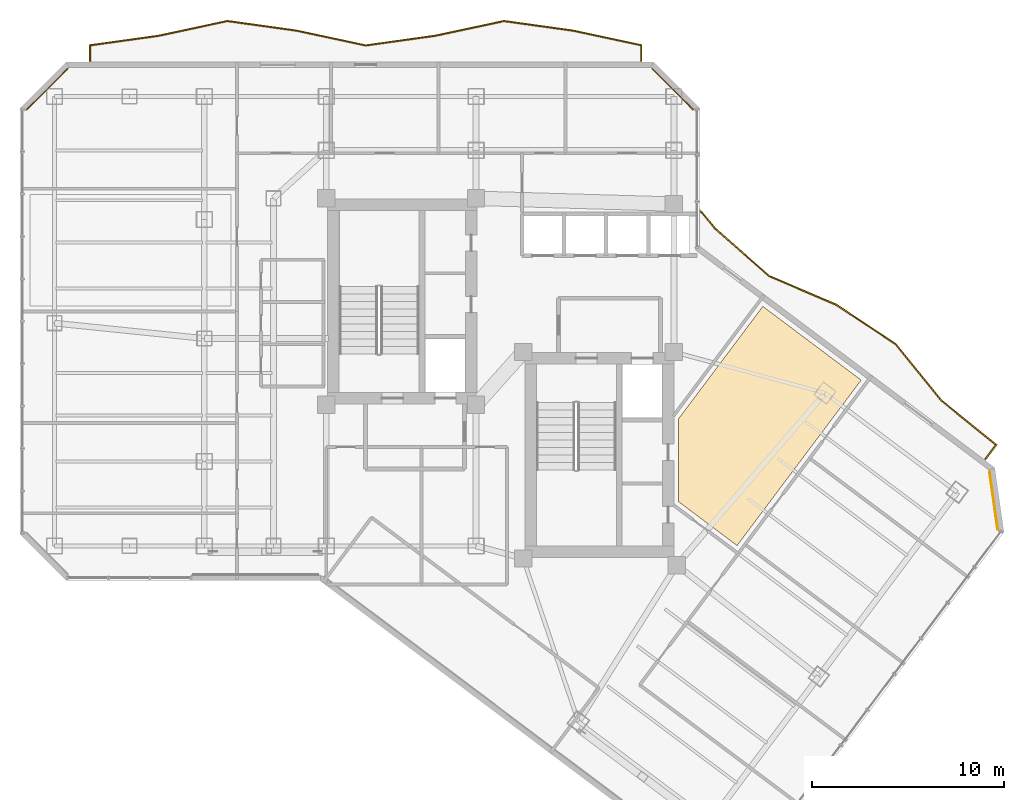
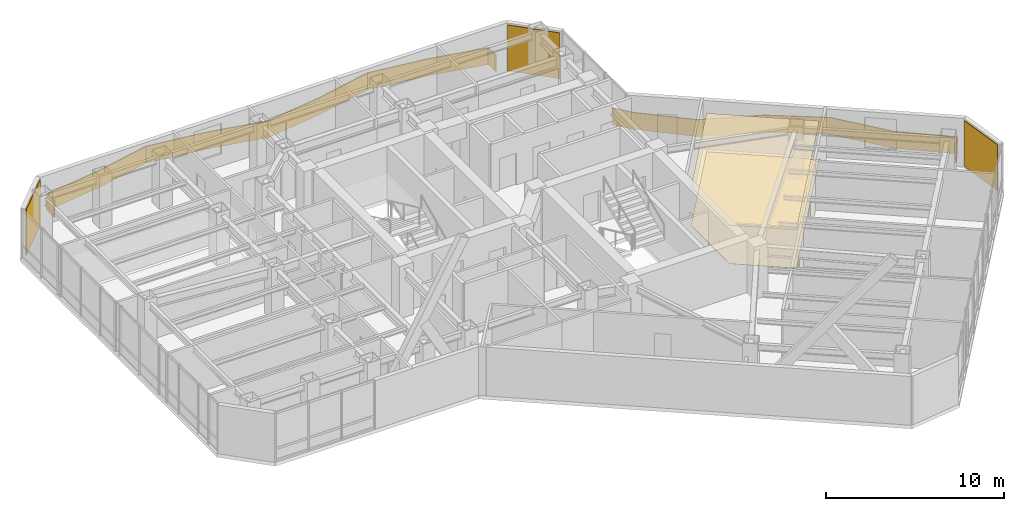
# One storey, part 27 of 27: 5 coverings, 2 railings.
"""IFC4 building model written with IfcOpenShell, lengths in metres."""

import ifcopenshell
import ifcopenshell.guid

model = None  # the IFC model being written
_history = None  # IfcOwnerHistory: only IFC2X3 demands one
_inside = {}  # id of a spatial element -> (the spatial element, [elements in it])
_under = {}  # id of a project, library or spatial element -> (it, [spatial elements below it])
_declared = {}  # id of a project -> (the project, [libraries it declares])
_typed = {}  # id of a type object -> (the type object, [elements of that type])
_made_of = {}  # id of a material, layer set ... -> (it, [elements and type objects made of it])


def new_model(schema):
    """Start an empty IFC model of exactly this schema.

    Asked for "IFC4X3", IfcOpenShell would pick the latest addendum, in which some entities
    have other attributes; the version numbers below select the first issue.
    IFC2X3 requires an IfcOwnerHistory on every rooted entity: one is made here for all.
    """
    global model, _history
    if schema == "IFC4X3":
        model = ifcopenshell.file(schema_version=(4, 3, 0, 0))
    else:
        model = ifcopenshell.file(schema=schema)
    _inside.clear()
    _under.clear()
    _declared.clear()
    _typed.clear()
    _made_of.clear()
    _history = None
    if model.schema == "IFC2X3":
        org = make("IfcOrganization", Name="unknown")
        user = make(
            "IfcPersonAndOrganization",
            ThePerson=make("IfcPerson", FamilyName="unknown"),
            TheOrganization=org,
        )
        app = make(
            "IfcApplication",
            ApplicationDeveloper=org,
            Version="unknown",
            ApplicationFullName="unknown",
            ApplicationIdentifier="unknown",
        )
        _history = make(
            "IfcOwnerHistory",
            OwningUser=user,
            OwningApplication=app,
            ChangeAction="ADDED",
            CreationDate=0,
        )
    return model


def make(cls, **values):
    """One entity of the class cls with the attributes given. An attribute that is None is left unset."""
    return model.create_entity(
        cls, **{name: value for name, value in values.items() if value is not None}
    )


def rooted(cls, **values):
    """An entity with a GlobalId (a new one), such as an element, a storey or a relation."""
    return make(cls, GlobalId=ifcopenshell.guid.new(), OwnerHistory=_history, **values)


def si_unit(unit_type, name, prefix=None):
    """IfcSIUnit, for example si_unit("LENGTHUNIT", "METRE", prefix="MILLI")."""
    return make("IfcSIUnit", UnitType=unit_type, Prefix=prefix, Name=name)


def assignment(units):
    """IfcUnitAssignment: the units of a project."""
    return None if units is None else make("IfcUnitAssignment", Units=units)


def point(xyz):
    """IfcCartesianPoint."""
    return None if xyz is None else make("IfcCartesianPoint", Coordinates=xyz)


def direction(xyz):
    """IfcDirection."""
    return None if xyz is None else make("IfcDirection", DirectionRatios=xyz)


def frame(location, z_axis=None, x_axis=None):
    """IfcAxis2Placement3D, a coordinate frame: its origin and axes. An axis left out is left unset."""
    return make(
        "IfcAxis2Placement3D",
        Location=point(location),
        Axis=direction(z_axis),
        RefDirection=direction(x_axis),
    )


def frame_2d(location, x_axis=None):
    """IfcAxis2Placement2D, a coordinate frame in the plane: its origin and x axis."""
    return make(
        "IfcAxis2Placement2D", Location=point(location), RefDirection=direction(x_axis)
    )


def origin():
    """The frame at (0, 0, 0) with its axes left unset."""
    return frame((0.0, 0.0, 0.0))


def origin_2d():
    """The frame at (0, 0) in the plane with its x axis left unset."""
    return frame_2d((0.0, 0.0))


def place(relative_to, where):
    """IfcLocalPlacement: puts the frame where relative to a parent placement (None: the world)."""
    return make(
        "IfcLocalPlacement", PlacementRelTo=relative_to, RelativePlacement=where
    )


def context(
    kind, dimensions, precision=None, world=None, true_north=None, identifier=None
):
    """IfcGeometricRepresentationContext, for example the 3D "Model" context."""
    return make(
        "IfcGeometricRepresentationContext",
        ContextIdentifier=identifier,
        ContextType=kind,
        CoordinateSpaceDimension=dimensions,
        Precision=precision,
        WorldCoordinateSystem=world,
        TrueNorth=true_north,
    )


def subcontext(parent, identifier, kind, view, scale=None):
    """IfcGeometricRepresentationSubContext, for example "Body" below "Model"."""
    return make(
        "IfcGeometricRepresentationSubContext",
        ContextIdentifier=identifier,
        ContextType=kind,
        ParentContext=parent,
        TargetScale=scale,
        TargetView=view,
    )


def project(units=None, contexts=None):
    """IfcProject with its units and contexts."""
    return rooted(
        "IfcProject",
        Name="project",
        RepresentationContexts=contexts,
        UnitsInContext=assignment(units),
    )


def spatial(cls, under=None, at=None, **own):
    """A site, building, storey or space (cls), placed at a placement, below another one or the project."""
    s = rooted(cls, ObjectPlacement=at, **own)
    if under is not None:
        _under.setdefault(under.id(), (under, []))[1].append(s)
    return s


def polyline(points):
    """IfcPolyline through the points."""
    return make("IfcPolyline", Points=[point(p) for p in points])


def profile(cls, at=None, kind="AREA", **sizes):
    """A parametric profile (cls). Its sizes go by their IFC names, for example OverallWidth=200.0."""
    return make(cls, ProfileType=kind, Position=at, **sizes)


def rectangle(**sizes):
    """IfcRectangleProfileDef."""
    return profile("IfcRectangleProfileDef", **sizes)


def outline(outer, holes=None, kind="AREA"):
    """IfcArbitraryClosedProfileDef: a profile drawn as a closed curve; with holes, ...WithVoids."""
    if holes is None:
        return make("IfcArbitraryClosedProfileDef", ProfileType=kind, OuterCurve=outer)
    return make(
        "IfcArbitraryProfileDefWithVoids",
        ProfileType=kind,
        OuterCurve=outer,
        InnerCurves=holes,
    )


def extrude(swept, where, along, depth):
    """IfcExtrudedAreaSolid: the profile swept, set in the frame where, extruded along a direction by depth."""
    return make(
        "IfcExtrudedAreaSolid",
        SweptArea=swept,
        Position=where,
        ExtrudedDirection=direction(along),
        Depth=depth,
    )


def shape(context_of_items, identifier, shape_type, items):
    """IfcShapeRepresentation: the items that make up one representation, for example the "Body"."""
    return make(
        "IfcShapeRepresentation",
        ContextOfItems=context_of_items,
        RepresentationIdentifier=identifier,
        RepresentationType=shape_type,
        Items=items,
    )


def material(Name=None, Category=None):
    """IfcMaterial."""
    return make("IfcMaterial", Name=Name, Category=Category)


def layer(
    of_material, thickness, ventilated=None, Name=None, Category=None, Priority=None
):
    """IfcMaterialLayer: one layer of a wall or slab, of a material (None: an air gap)."""
    return make(
        "IfcMaterialLayer",
        Material=of_material,
        LayerThickness=thickness,
        IsVentilated=ventilated,
        Name=Name,
        Category=Category,
        Priority=Priority,
    )


def layer_set(layers, Name=None):
    """IfcMaterialLayerSet."""
    return make("IfcMaterialLayerSet", MaterialLayers=layers, LayerSetName=Name)


def made_of(thing, what):
    """Note that an element or type object is made of a material, layer set ...; save() writes the relation."""
    if what is not None:
        _made_of.setdefault(what.id(), (what, []))[1].append(thing)
    return thing


def type_object(cls, material=None, **own):
    """A type object (cls), such as IfcWallType, which elements share."""
    return made_of(rooted(cls, **own), material)


def element(
    cls,
    number,
    at=None,
    inside=None,
    cuts=None,
    type_object=None,
    material=None,
    context=None,
    identifier="Body",
    shape_type=None,
    held_by="IfcProductDefinitionShape",
    body=None,
    shapes=None,
    **own,
):
    """One element of the class cls, such as IfcWall. Its Tag is "e" and its number.

    at: its placement. inside: the storey or other place that contains it. cuts: it is an
    opening in that element (IfcRelVoidsElement). A single representation is given by context,
    identifier, shape_type and body (its items); several are given by shapes. held_by: the class
    of the entity that holds the representations. save() writes the other relations.
    """
    e = rooted(cls, Tag="e%d" % number, ObjectPlacement=at, **own)
    if body is not None:
        shapes = [shape(context, identifier, shape_type, body)]
    if shapes is not None:
        e.Representation = make(held_by, Representations=shapes)
    if inside is not None:
        _inside.setdefault(inside.id(), (inside, []))[1].append(e)
    if cuts is not None:
        rooted(
            "IfcRelVoidsElement", RelatingBuildingElement=cuts, RelatedOpeningElement=e
        )
    if type_object is not None:
        _typed.setdefault(type_object.id(), (type_object, []))[1].append(e)
    return made_of(e, material)


def aggregate(whole, parts):
    """IfcRelAggregates: a whole, such as a stair, and the parts it consists of."""
    return rooted("IfcRelAggregates", RelatingObject=whole, RelatedObjects=parts)


def save(model, path):
    """Write the relations noted so far, then the file.

    IfcRelAggregates (storeys below a building ...), IfcRelContainedInSpatialStructure (elements
    in a storey), IfcRelDefinesByType, IfcRelAssociatesMaterial and IfcRelDeclares: one each for
    every whole, place, type object, material and project.
    """
    for whole, parts in _under.values():
        aggregate(whole, parts)
    for where, things in _inside.values():
        rooted(
            "IfcRelContainedInSpatialStructure",
            RelatedElements=things,
            RelatingStructure=where,
        )
    for kind, things in _typed.values():
        rooted("IfcRelDefinesByType", RelatedObjects=things, RelatingType=kind)
    for what, things in _made_of.values():
        rooted("IfcRelAssociatesMaterial", RelatedObjects=things, RelatingMaterial=what)
    for by, libraries in _declared.values():
        rooted("IfcRelDeclares", RelatingContext=by, RelatedDefinitions=libraries)
    model.write(path)


model = new_model("IFC4")

# Units and contexts
model_context = context("Model", 3, precision=1e-05, world=origin(), true_north=direction((0.0, 1.0)))
body_context = subcontext(model_context, "Body", "Model", "MODEL_VIEW")
ifc_project = project(units=[si_unit("LENGTHUNIT", "METRE"), si_unit("AREAUNIT", "SQUARE_METRE"), si_unit("VOLUMEUNIT", "CUBIC_METRE"), si_unit("PLANEANGLEUNIT", "RADIAN"), si_unit("MASSUNIT", "GRAM", prefix="KILO")], contexts=[model_context])

# Site, building, storey
site_placement = place(None, origin())
site = spatial("IfcSite", under=ifc_project, at=site_placement, CompositionType="ELEMENT")
building_placement = place(site_placement, origin())
building = spatial("IfcBuilding", under=site, at=building_placement, Name="Hatsunagi Terrace Concourse", CompositionType="ELEMENT")
storey_placement = place(building_placement, frame((0.0, 0.0, 145.64990234375)))
storey = spatial("IfcBuildingStorey", under=building, at=storey_placement, Name="L38", CompositionType="ELEMENT", Elevation=145.64990234375)

# Railings
ifc_material_1 = material(Name="Laminated Glass and Stainless Steel Guard", Category="steel")
ifc_layer_1 = layer(ifc_material_1, 0.070068359375)
ifc_layer_set_1 = layer_set([ifc_layer_1], Name="BalconyGlassGuardRail_1150")
railing_type = type_object("IfcRailingType", Name="BalconyGlassGuardRail_1150", PredefinedType="BALUSTRADE", material=ifc_layer_set_1)
railing_1_placement = place(storey_placement, origin())
element("IfcRailing", 1, at=railing_1_placement, inside=storey, type_object=railing_type, Name="Engawa Balcony Guard GRD-01 L38-BN-1", PredefinedType="BALUSTRADE", context=body_context, shape_type="SweptSolid", body=[
    extrude(outline(polyline([(13.215087890625, 50.449951171875), (13.284912109375, 50.449951171875), (13.284912109375, 51.239501953125), (16.815185546875, 51.7314453125), (20.4033203125, 52.49951171875), (23.98486328125, 52.00146484375), (27.5966796875, 51.2275390625), (31.215087890625, 51.7314453125), (34.80322265625, 52.49951171875), (38.385009765625, 52.00146484375), (41.9150390625, 51.24560546875), (41.9150390625, 50.449951171875), (41.985107421875, 50.449951171875), (41.985107421875, 51.30224609375), (38.397216796875, 52.070556640625), (34.80078125, 52.570556640625), (31.202880859375, 51.800537109375), (27.599365234375, 51.298583984375), (23.9970703125, 52.070556640625), (20.400634765625, 52.570556640625), (16.802978515625, 51.800537109375), (13.215087890625, 51.300537109375), (13.215087890625, 50.449951171875)])), origin(), (0.0, 0.0, 1.0), 1.150146484375),
])
railing_2_placement = place(storey_placement, origin())
element("IfcRailing", 2, at=railing_2_placement, inside=storey, type_object=railing_type, Name="Engawa Balcony Guard GRD-01 L38-BSE-1", PredefinedType="BALUSTRADE", context=body_context, shape_type="SweptSolid", body=[
    extrude(outline(polyline([(45.072998046875, 42.656494140625), (45.01904296875, 42.611572265625), (45.78076171875, 41.696533203125), (48.580078125, 39.22802734375), (52.08740234375, 37.72900390625), (55.1591796875, 35.69287109375), (57.564208984375, 32.737060546875), (60.3857421875, 30.455078125), (59.842041015625, 29.73095703125), (59.89794921875, 29.68896484375), (60.482421875, 30.467041015625), (57.61376953125, 32.786865234375), (55.206787109375, 35.7451171875), (52.12060546875, 37.791015625), (48.617919921875, 39.2880859375), (45.831298828125, 41.74560546875), (45.072998046875, 42.656494140625)])), origin(), (0.0, 0.0, 1.0), 1.150146484375),
])

# Coverings
ifc_material_2 = material(Name="Hardwood timber", Category="wood")
ifc_layer_2 = layer(ifc_material_2, 0.014892578125)
ifc_layer_set_2 = layer_set([ifc_layer_2], Name="HardwoodTimberFlooring_15")
covering_type_1 = type_object("IfcCoveringType", Name="HardwoodTimberFlooring_15", PredefinedType="FLOORING", material=ifc_layer_set_2)
covering_1_placement = place(storey_placement, origin())
element("IfcCovering", 3, at=covering_1_placement, inside=storey, type_object=covering_type_1, Name="Finished Flooring L38-1", PredefinedType="FLOORING", context=body_context, shape_type="SweptSolid", body=[
    extrude(outline(polyline([(48.281982421875, 37.676025390625), (43.89990234375, 31.833984375), (43.89990234375, 27.5), (46.93994140625, 25.219970703125), (53.402099609375, 33.8359375), (48.281982421875, 37.676025390625)])), origin(), (0.0, 0.0, 1.0), 0.01513671875),
])
ifc_material_3 = material(Name="Unglazed Warm Terracotta Rainscreen Tile", Category="masonry")
ifc_layer_3 = layer(ifc_material_3, 0.044921875)
ifc_layer_set_3 = layer_set([ifc_layer_3], Name="TerracottaRainscreenCladding_45")
covering_type_2 = type_object("IfcCoveringType", Name="TerracottaRainscreenCladding_45", PredefinedType="CLADDING", material=ifc_layer_set_3)
for number, where, z_axis, x_axis, name in (
    (4, (60.301025390625, 27.55810546875, 0.10009765625), (0.0, 0.0, 1.0), (0.141250262458, -0.989973920543, 0.0), "Terracotta Rainscreen Cladding L38-02"),
    (5, (11.013916015625, 48.986083984375, 0.10009765625), (0.0, 0.0, 1.0), (0.707106781187, 0.707106781187, 0.0), "Terracotta Rainscreen Cladding L38-10"),
    (6, (43.5859375, 48.986083984375, 0.10009765625), (0.0, 0.0, 1.0), (0.707106781187, -0.707106781187, 0.0), "Terracotta Rainscreen Cladding L38-12"),
):
    element("IfcCovering", number, at=place(storey_placement, frame(where, z_axis=z_axis, x_axis=x_axis)), inside=storey, type_object=covering_type_2, Name=name, PredefinedType="CLADDING", context=body_context, shape_type="SweptSolid", body=[
        extrude(rectangle(XDim=3.0380859375, YDim=0.044921875, at=origin_2d()), origin(), (0.0, 0.0, 1.0), 3.14990234375),
    ])
ifc_material_4 = material(Name="Hardwood timber", Category="wood")
ifc_layer_4 = layer(ifc_material_4, 0.034912109375)
ifc_layer_set_4 = layer_set([ifc_layer_4], Name="TimberBaffleCeiling_35")
covering_type_3 = type_object("IfcCoveringType", Name="TimberBaffleCeiling_35", PredefinedType="CEILING", material=ifc_layer_set_4)
covering_2_placement = place(storey_placement, frame((0.0, 0.0, 2.630126953125)))
element("IfcCovering", 7, at=covering_2_placement, inside=storey, type_object=covering_type_3, Name="Suspended Ceiling L38-1", PredefinedType="CEILING", context=body_context, shape_type="SweptSolid", body=[
    extrude(outline(polyline([(48.281982421875, 37.676025390625), (43.89990234375, 31.833984375), (43.89990234375, 27.5), (46.93994140625, 25.219970703125), (53.402099609375, 33.8359375), (48.281982421875, 37.676025390625)])), origin(), (0.0, 0.0, 1.0), 0.034912109375),
])

save(model, "model.ifc")
